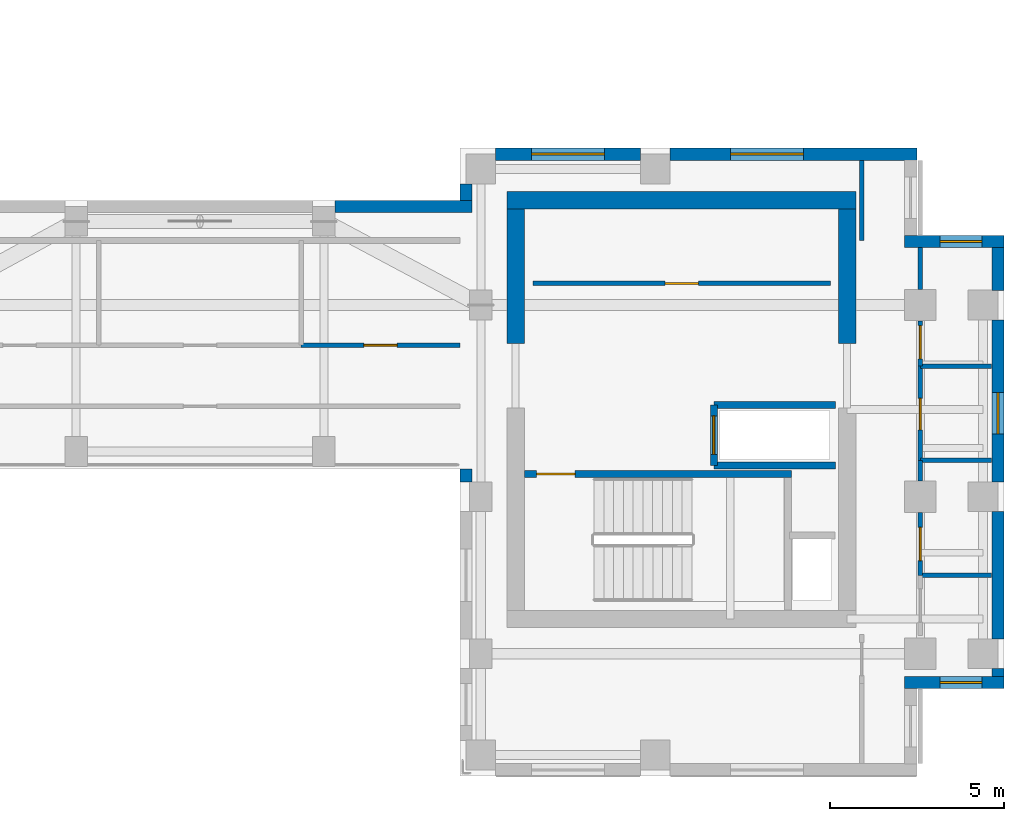
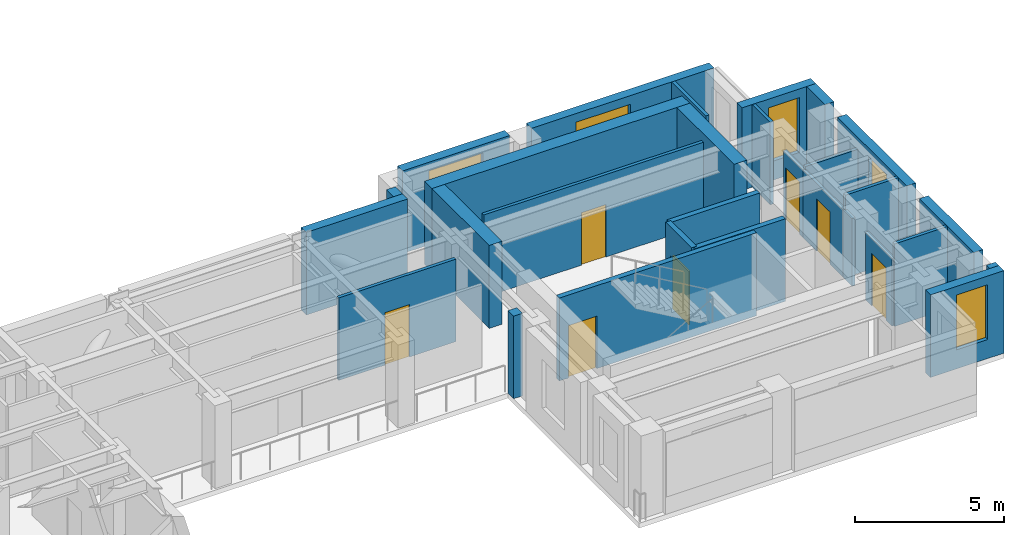
# One storey, part 9 of 13: 29 walls, 7 doors, 5 windows, 12 openings.
"""IFC4 building model written with IfcOpenShell, lengths in metres."""

from ifc_helpers import new_model, si_unit, direction, frame, frame_2d, origin, place, context, subcontext, project, spatial, rectangle, extrude, source, transform, mapped, material, layer, layer_set, type_object, element, fill, save


model = new_model("IFC4")

# Units and contexts
model_context = context("Model", 3, precision=1e-05, world=origin(), true_north=direction((0.0, 1.0)))
body_context = subcontext(model_context, "Body", "Model", "MODEL_VIEW")
ifc_project = project(units=[si_unit("LENGTHUNIT", "METRE"), si_unit("AREAUNIT", "SQUARE_METRE"), si_unit("VOLUMEUNIT", "CUBIC_METRE"), si_unit("PLANEANGLEUNIT", "RADIAN"), si_unit("MASSUNIT", "GRAM", prefix="KILO")], contexts=[model_context])

# Site, building, storey
site_placement = place(None, origin())
site = spatial("IfcSite", under=ifc_project, at=site_placement, CompositionType="ELEMENT")
building_placement = place(site_placement, origin())
building = spatial("IfcBuilding", under=site, at=building_placement, Name="Kharzan Plaza Tower", CompositionType="ELEMENT")
storey_placement = place(building_placement, frame((0.0, 0.0, 244.800048828125)))
storey = spatial("IfcBuildingStorey", under=building, at=storey_placement, Name="L66", CompositionType="ELEMENT", Elevation=244.800048828125)

# Wall, opening, window
ifc_material_1 = material(Name="Concrete C40/50", Category="concrete")
ifc_layer_1 = layer(ifc_material_1, 0.35009765625)
ifc_layer_set_1 = layer_set([ifc_layer_1], Name="Concrete C40/50")
wall_type_1 = type_object("IfcWallType", Name="WL-EXT-MAS-Z4", PredefinedType="SOLIDWALL", material=ifc_layer_set_1)
wall_1_placement = place(storey_placement, frame((47.14990234375, 2.675048828125, 0.0), z_axis=(0.0, 0.0, 1.0), x_axis=(1.0, 0.0, 0.0)))
wall_1 = element("IfcWall", 1, at=wall_1_placement, inside=storey, type_object=wall_type_1, Name="L66 Masonry-Frame Exterior Wall 39", PredefinedType="SOLIDWALL", context=body_context, shape_type="SweptSolid", body=[
    extrude(rectangle(XDim=2.85009765625, YDim=0.35009765625, at=frame_2d((1.425048828125, 0.0))), origin(), (0.0, 0.0, 1.0), 3.385009765625),
])
opening_1_placement = place(wall_1_placement, frame((1.014892578125, 0.0, 0.780029296875)))
opening_1 = element("IfcOpeningElement", 2, at=opening_1_placement, cuts=wall_1, Name="Opening W3", PredefinedType="OPENING", context=body_context, shape_type="SweptSolid", body=[
    extrude(rectangle(XDim=1.199951171875, YDim=2.25, at=frame_2d((0.60009765625, 1.125))), frame((0.0, 0.18505859375, 0.0), z_axis=(0.0, -1.0, 0.0), x_axis=(1.0, 0.0, 0.0)), (0.0, 0.0, 1.0), 0.3701171875),
])
ifc_material_2 = material(Name="Low-E Double Glazing", Category="glass")
window_type_1 = type_object("IfcWindowType", Name="WN-REC-1200x2100", PartitioningType="SINGLE_PANEL", PredefinedType="WINDOW", material=ifc_material_2)
shared_shape_1 = source(origin(), body_context, "Body", "SweptSolid", [
    extrude(rectangle(XDim=1.199951171875, YDim=2.25, at=frame_2d((0.60009765625, 1.125))), frame((0.0, 0.030029296875, 0.0), z_axis=(0.0, -1.0, 0.0), x_axis=(1.0, 0.0, 0.0)), (0.0, 0.0, 1.0), 0.06005859375),
])
window_1_placement = place(opening_1_placement, origin())
window_1 = element("IfcWindow", 3, at=window_1_placement, inside=storey, type_object=window_type_1, Name="L66 Recessed Solar-Control Window 39-1", OverallHeight=2.25, OverallWidth=1.199951171875, PartitioningType="SINGLE_PANEL", PredefinedType="WINDOW", context=body_context, shape_type="MappedRepresentation", body=[
    mapped(shared_shape_1, transform((0.0, 0.0, 0.0), x_axis=(1.0, 0.0, 0.0), y_axis=(0.0, 1.0, 0.0), z_axis=(0.0, 0.0, 1.0))),
])
fill(opening_1, window_1)

wall_2_placement = place(storey_placement, frame((49.824951171875, 8.423095703125, 0.0), z_axis=(0.0, 0.0, 1.0), x_axis=(0.0, 1.0, 0.0)))
wall_2 = element("IfcWall", 4, at=wall_2_placement, inside=storey, type_object=wall_type_1, Name="L66 Masonry-Frame Exterior Wall 42", PredefinedType="SOLIDWALL", context=body_context, shape_type="SweptSolid", body=[
    extrude(rectangle(XDim=4.65380859375, YDim=0.35009765625, at=frame_2d((2.326904296875, 0.0))), origin(), (0.0, 0.0, 1.0), 3.385009765625),
])
opening_2_placement = place(wall_2_placement, frame((1.376953125, 0.0, 0.780029296875)))
opening_2 = element("IfcOpeningElement", 5, at=opening_2_placement, cuts=wall_2, Name="Opening W3", PredefinedType="OPENING", context=body_context, shape_type="SweptSolid", body=[
    extrude(rectangle(XDim=1.199951171875, YDim=2.25, at=frame_2d((0.60009765625, 1.125))), frame((0.0, 0.18505859375, 0.0), z_axis=(0.0, -1.0, 0.0), x_axis=(1.0, 0.0, 0.0)), (0.0, 0.0, 1.0), 0.3701171875),
])
window_2_placement = place(opening_2_placement, origin())
window_2 = element("IfcWindow", 6, at=window_2_placement, inside=storey, type_object=window_type_1, Name="L66 Recessed Solar-Control Window 42-1", OverallHeight=2.25, OverallWidth=1.199951171875, PartitioningType="SINGLE_PANEL", PredefinedType="WINDOW", context=body_context, shape_type="MappedRepresentation", body=[
    mapped(shared_shape_1, transform((0.0, 0.0, 0.0), x_axis=(1.0, 0.0, 0.0), y_axis=(0.0, 1.0, 0.0), z_axis=(0.0, 0.0, 1.0))),
])
fill(opening_2, window_2)

wall_3_placement = place(storey_placement, frame((50.0, 15.324951171875, 0.0), z_axis=(0.0, 0.0, 1.0), x_axis=(-1.0, 0.0, 0.0)))
wall_3 = element("IfcWall", 7, at=wall_3_placement, inside=storey, type_object=wall_type_1, Name="L66 Masonry-Frame Exterior Wall 44", PredefinedType="SOLIDWALL", context=body_context, shape_type="SweptSolid", body=[
    extrude(rectangle(XDim=2.85009765625, YDim=0.35009765625, at=frame_2d((1.425048828125, 0.0))), origin(), (0.0, 0.0, 1.0), 3.385009765625),
])
opening_3_placement = place(wall_3_placement, frame((0.635009765625, 0.0, 0.780029296875)))
opening_3 = element("IfcOpeningElement", 8, at=opening_3_placement, cuts=wall_3, Name="Opening W3", PredefinedType="OPENING", context=body_context, shape_type="SweptSolid", body=[
    extrude(rectangle(XDim=1.199951171875, YDim=2.25, at=frame_2d((0.60009765625, 1.125))), frame((0.0, 0.18505859375, 0.0), z_axis=(0.0, -1.0, 0.0), x_axis=(1.0, 0.0, 0.0)), (0.0, 0.0, 1.0), 0.3701171875),
])
window_3_placement = place(opening_3_placement, origin())
window_3 = element("IfcWindow", 9, at=window_3_placement, inside=storey, type_object=window_type_1, Name="L66 Recessed Solar-Control Window 44-1", OverallHeight=2.25, OverallWidth=1.199951171875, PartitioningType="SINGLE_PANEL", PredefinedType="WINDOW", context=body_context, shape_type="MappedRepresentation", body=[
    mapped(shared_shape_1, transform((0.0, 0.0, 0.0), x_axis=(1.0, 0.0, 0.0), y_axis=(0.0, 1.0, 0.0), z_axis=(0.0, 0.0, 1.0))),
])
fill(opening_3, window_3)

wall_4_placement = place(storey_placement, frame((47.5, 17.824951171875, 0.0), z_axis=(0.0, 0.0, 1.0), x_axis=(-1.0, 0.0, 0.0)))
wall_4 = element("IfcWall", 10, at=wall_4_placement, inside=storey, type_object=wall_type_1, Name="L66 Masonry-Frame Exterior Wall 46", PredefinedType="SOLIDWALL", context=body_context, shape_type="SweptSolid", body=[
    extrude(rectangle(XDim=7.076904296875, YDim=0.35009765625, at=frame_2d((3.53857421875, 0.0))), origin(), (0.0, 0.0, 1.0), 3.385009765625),
])
opening_4_placement = place(wall_4_placement, frame((3.243408203125, 0.0, 0.780029296875)))
opening_4 = element("IfcOpeningElement", 11, at=opening_4_placement, cuts=wall_4, Name="Opening W6", PredefinedType="OPENING", context=body_context, shape_type="SweptSolid", body=[
    extrude(rectangle(XDim=2.10009765625, YDim=2.25, at=frame_2d((1.050048828125, 1.125))), frame((0.0, 0.18505859375, 0.0), z_axis=(0.0, -1.0, 0.0), x_axis=(1.0, 0.0, 0.0)), (0.0, 0.0, 1.0), 0.3701171875),
])
window_type_2 = type_object("IfcWindowType", Name="WN-EXEC-2100x2250", PartitioningType="SINGLE_PANEL", PredefinedType="WINDOW", material=ifc_material_2)
shared_shape_2 = source(origin(), body_context, "Body", "SweptSolid", [
    extrude(rectangle(XDim=2.10009765625, YDim=2.25, at=frame_2d((1.050048828125, 1.125))), frame((0.0, 0.030029296875, 0.0), z_axis=(0.0, -1.0, 0.0), x_axis=(1.0, 0.0, 0.0)), (0.0, 0.0, 1.0), 0.06005859375),
])
window_4_placement = place(opening_4_placement, origin())
window_4 = element("IfcWindow", 12, at=window_4_placement, inside=storey, type_object=window_type_2, Name="L66 Recessed Solar-Control Window 46-1", OverallHeight=2.25, OverallWidth=2.10009765625, PartitioningType="SINGLE_PANEL", PredefinedType="WINDOW", context=body_context, shape_type="MappedRepresentation", body=[
    mapped(shared_shape_2, transform((0.0, 0.0, 0.0), x_axis=(1.0, 0.0, 0.0), y_axis=(0.0, 1.0, 0.0), z_axis=(0.0, 0.0, 1.0))),
])
fill(opening_4, window_4)

wall_5_placement = place(storey_placement, frame((39.576904296875, 17.824951171875, 0.0), z_axis=(0.0, 0.0, 1.0), x_axis=(-1.0, 0.0, 0.0)))
wall_5 = element("IfcWall", 13, at=wall_5_placement, inside=storey, type_object=wall_type_1, Name="L66 Masonry-Frame Exterior Wall 47", PredefinedType="SOLIDWALL", context=body_context, shape_type="SweptSolid", body=[
    extrude(rectangle(XDim=4.15380859375, YDim=0.35009765625, at=frame_2d((2.076904296875, 0.0))), origin(), (0.0, 0.0, 1.0), 3.385009765625),
])
opening_5_placement = place(wall_5_placement, frame((1.027099609375, 0.0, 0.780029296875)))
opening_5 = element("IfcOpeningElement", 14, at=opening_5_placement, cuts=wall_5, Name="Opening W6", PredefinedType="OPENING", context=body_context, shape_type="SweptSolid", body=[
    extrude(rectangle(XDim=2.10009765625, YDim=2.25, at=frame_2d((1.050048828125, 1.125))), frame((0.0, 0.18505859375, 0.0), z_axis=(0.0, -1.0, 0.0), x_axis=(1.0, 0.0, 0.0)), (0.0, 0.0, 1.0), 0.3701171875),
])
window_5_placement = place(opening_5_placement, origin())
window_5 = element("IfcWindow", 15, at=window_5_placement, inside=storey, type_object=window_type_2, Name="L66 Recessed Solar-Control Window 47-1", OverallHeight=2.25, OverallWidth=2.10009765625, PartitioningType="SINGLE_PANEL", PredefinedType="WINDOW", context=body_context, shape_type="MappedRepresentation", body=[
    mapped(shared_shape_2, transform((0.0, 0.0, 0.0), x_axis=(1.0, 0.0, 0.0), y_axis=(0.0, 1.0, 0.0), z_axis=(0.0, 0.0, 1.0))),
])
fill(opening_5, window_5)

# Wall, opening, door
ifc_material_3 = material(Name="Fire-Rated Gypsum Board Partition", Category="gypsum")
ifc_layer_2 = layer(ifc_material_3, 0.125)
ifc_layer_set_2 = layer_set([ifc_layer_2], Name="Fire-Rated Gypsum Board Partition")
wall_type_2 = type_object("IfcWallType", Name="WL-INT-PART-125", PredefinedType="PARTITIONING", material=ifc_layer_set_2)
wall_6_placement = place(storey_placement, frame((36.5, 14.1201171875, 0.0), z_axis=(0.0, 0.0, 1.0), x_axis=(1.0, 0.0, 0.0)))
wall_6 = element("IfcWall", 16, at=wall_6_placement, inside=storey, type_object=wall_type_2, Name="L66 Interior Partition CB-RBLS1", PredefinedType="PARTITIONING", context=body_context, shape_type="SweptSolid", body=[
    extrude(rectangle(XDim=8.52001953125, YDim=0.125, at=frame_2d((4.260009765625, 0.0))), origin(), (0.0, 0.0, 1.0), 3.385009765625),
])
opening_6_placement = place(wall_6_placement, frame((3.784912109375, 0.0, 0.0)))
opening_6 = element("IfcOpeningElement", 17, at=opening_6_placement, cuts=wall_6, Name="Opening OD1", PredefinedType="OPENING", context=body_context, shape_type="SweptSolid", body=[
    extrude(rectangle(XDim=0.949951171875, YDim=2.14990234375, at=frame_2d((0.47509765625, 1.074951171875))), frame((0.0, 0.072509765625, 0.0), z_axis=(0.0, -1.0, 0.0), x_axis=(1.0, 0.0, 0.0)), (0.0, 0.0, 1.0), 0.14501953125),
])
ifc_material_4 = material(Name="Acoustic Solid-Core Stained Oak", Category="timber")
door_type_1 = type_object("IfcDoorType", Name="DR-OFF-SINGLE", OperationType="NOTDEFINED", PredefinedType="DOOR", material=ifc_material_4)
shared_shape_3 = source(origin(), body_context, "Body", "SweptSolid", [
    extrude(rectangle(XDim=0.949951171875, YDim=2.14990234375, at=frame_2d((0.47509765625, 1.074951171875))), frame((0.0, 0.02490234375, 0.0), z_axis=(0.0, -1.0, 0.0), x_axis=(1.0, 0.0, 0.0)), (0.0, 0.0, 1.0), 0.050048828125),
])
door_1_placement = place(opening_6_placement, origin())
door_1 = element("IfcDoor", 18, at=door_1_placement, inside=storey, type_object=door_type_1, Name="L66 Mail Room Door", OperationType="SINGLE_SWING_RIGHT", OverallHeight=2.14990234375, OverallWidth=0.949951171875, PredefinedType="DOOR", context=body_context, shape_type="MappedRepresentation", body=[
    mapped(shared_shape_3, transform((0.0, 0.0, 0.0), x_axis=(1.0, 0.0, 0.0), y_axis=(0.0, 1.0, 0.0), z_axis=(0.0, 0.0, 1.0))),
])
fill(opening_6, door_1)

wall_7_placement = place(storey_placement, frame((47.60009765625, 5.75, 0.0), z_axis=(0.0, 0.0, 1.0), x_axis=(0.0, 1.0, 0.0)))
wall_7 = element("IfcWall", 19, at=wall_7_placement, inside=storey, type_object=wall_type_2, Name="L66 Interior Partition SH-B3W1-S1", PredefinedType="PARTITIONING", context=body_context, shape_type="SweptSolid", body=[
    extrude(rectangle(XDim=1.800048828125, YDim=0.125, at=frame_2d((0.89990234375, 0.0))), origin(), (0.0, 0.0, 1.0), 2.77294921875),
])
opening_7_placement = place(wall_7_placement, frame((0.425048828125, 0.0, 0.0)))
opening_7 = element("IfcOpeningElement", 20, at=opening_7_placement, cuts=wall_7, Name="Opening OD1", PredefinedType="OPENING", context=body_context, shape_type="SweptSolid", body=[
    extrude(rectangle(XDim=0.949951171875, YDim=2.14990234375, at=frame_2d((0.47509765625, 1.074951171875))), frame((0.0, 0.072509765625, 0.0), z_axis=(0.0, -1.0, 0.0), x_axis=(1.0, 0.0, 0.0)), (0.0, 0.0, 1.0), 0.14501953125),
])
door_2_placement = place(opening_7_placement, origin())
door_2 = element("IfcDoor", 21, at=door_2_placement, inside=storey, type_object=door_type_1, Name="L66 Wing B Office 2 Door", OperationType="SINGLE_SWING_LEFT", OverallHeight=2.14990234375, OverallWidth=0.949951171875, PredefinedType="DOOR", context=body_context, shape_type="MappedRepresentation", body=[
    mapped(shared_shape_3, transform((0.0, 0.0, 0.0), x_axis=(1.0, 0.0, 0.0), y_axis=(0.0, 1.0, 0.0), z_axis=(0.0, 0.0, 1.0))),
])
fill(opening_7, door_2)

wall_8_placement = place(storey_placement, frame((47.60009765625, 11.75, 0.0), z_axis=(0.0, 0.0, 1.0), x_axis=(0.0, 1.0, 0.0)))
wall_8 = element("IfcWall", 22, at=wall_8_placement, inside=storey, type_object=wall_type_2, Name="L66 Interior Partition SH-B3W2-S1", PredefinedType="PARTITIONING", context=body_context, shape_type="SweptSolid", body=[
    extrude(rectangle(XDim=1.300048828125, YDim=0.125, at=frame_2d((0.64990234375, 0.0))), origin(), (0.0, 0.0, 1.0), 2.77294921875),
])
opening_8_placement = place(wall_8_placement, frame((0.2099609375, 0.0, 0.0)))
opening_8 = element("IfcOpeningElement", 23, at=opening_8_placement, cuts=wall_8, Name="Opening OD1", PredefinedType="OPENING", context=body_context, shape_type="SweptSolid", body=[
    extrude(rectangle(XDim=0.949951171875, YDim=2.14990234375, at=frame_2d((0.47509765625, 1.074951171875))), frame((0.0, 0.072509765625, 0.0), z_axis=(0.0, -1.0, 0.0), x_axis=(1.0, 0.0, 0.0)), (0.0, 0.0, 1.0), 0.14501953125),
])
door_3_placement = place(opening_8_placement, origin())
door_3 = element("IfcDoor", 24, at=door_3_placement, inside=storey, type_object=door_type_1, Name="L66 Wing B Office 3 Door", OperationType="SINGLE_SWING_LEFT", OverallHeight=2.14990234375, OverallWidth=0.949951171875, PredefinedType="DOOR", context=body_context, shape_type="MappedRepresentation", body=[
    mapped(shared_shape_3, transform((0.0, 0.0, 0.0), x_axis=(1.0, 0.0, 0.0), y_axis=(0.0, 1.0, 0.0), z_axis=(0.0, 0.0, 1.0))),
])
fill(opening_8, door_3)

wall_9_placement = place(storey_placement, frame((47.60009765625, 9.050048828125, 0.0), z_axis=(0.0, 0.0, 1.0), x_axis=(0.0, 1.0, 0.0)))
wall_9 = element("IfcWall", 25, at=wall_9_placement, inside=storey, type_object=wall_type_2, Name="L66 Interior Partition SH-B3WC", PredefinedType="PARTITIONING", context=body_context, shape_type="SweptSolid", body=[
    extrude(rectangle(XDim=2.699951171875, YDim=0.125, at=frame_2d((1.35009765625, 0.0))), origin(), (0.0, 0.0, 1.0), 2.77294921875),
])
opening_9_placement = place(wall_9_placement, frame((0.875, 0.0, 0.0)))
opening_9 = element("IfcOpeningElement", 26, at=opening_9_placement, cuts=wall_9, Name="Opening WD1", PredefinedType="OPENING", context=body_context, shape_type="SweptSolid", body=[
    extrude(rectangle(XDim=0.89990234375, YDim=2.14990234375, at=frame_2d((0.449951171875, 1.074951171875))), frame((0.0, 0.072509765625, 0.0), z_axis=(0.0, -1.0, 0.0), x_axis=(1.0, 0.0, 0.0)), (0.0, 0.0, 1.0), 0.14501953125),
])
ifc_material_5 = material(Name="Moisture-Resistant Fire-Rated Laminate", Category="timber")
door_type_2 = type_object("IfcDoorType", Name="DR-WC-900", OperationType="NOTDEFINED", PredefinedType="DOOR", material=ifc_material_5)
shared_shape_4 = source(origin(), body_context, "Body", "SweptSolid", [
    extrude(rectangle(XDim=0.89990234375, YDim=2.14990234375, at=frame_2d((0.449951171875, 1.074951171875))), frame((0.0, 0.02490234375, 0.0), z_axis=(0.0, -1.0, 0.0), x_axis=(1.0, 0.0, 0.0)), (0.0, 0.0, 1.0), 0.050048828125),
])
door_4_placement = place(opening_9_placement, origin())
door_4 = element("IfcDoor", 27, at=door_4_placement, inside=storey, type_object=door_type_2, Name="L66 Wing B Washroom Door", OperationType="SINGLE_SWING_RIGHT", OverallHeight=2.14990234375, OverallWidth=0.89990234375, PredefinedType="DOOR", context=body_context, shape_type="MappedRepresentation", body=[
    mapped(shared_shape_4, transform((0.0, 0.0, 0.0), x_axis=(1.0, 0.0, 0.0), y_axis=(0.0, 1.0, 0.0), z_axis=(0.0, 0.0, 1.0))),
])
fill(opening_9, door_4)

wall_10_placement = place(storey_placement, frame((29.85009765625, 12.35009765625, 0.0), z_axis=(0.0, 0.0, 1.0), x_axis=(1.0, 0.0, 0.0)))
wall_10 = element("IfcWall", 28, at=wall_10_placement, inside=storey, type_object=wall_type_2, Name="L66 Interior Partition SH-SPNE1", PredefinedType="PARTITIONING", context=body_context, shape_type="SweptSolid", body=[
    extrude(rectangle(XDim=4.5498046875, YDim=0.125, at=frame_2d((2.27490234375, 0.0))), origin(), (0.0, 0.0, 1.0), 3.385009765625),
])
opening_10_placement = place(wall_10_placement, frame((1.800048828125, 0.0, 0.0)))
opening_10 = element("IfcOpeningElement", 29, at=opening_10_placement, cuts=wall_10, Name="Opening OD1", PredefinedType="OPENING", context=body_context, shape_type="SweptSolid", body=[
    extrude(rectangle(XDim=0.949951171875, YDim=2.14990234375, at=frame_2d((0.47509765625, 1.074951171875))), frame((0.0, 0.072509765625, 0.0), z_axis=(0.0, -1.0, 0.0), x_axis=(1.0, 0.0, 0.0)), (0.0, 0.0, 1.0), 0.14501953125),
])
door_5_placement = place(opening_10_placement, origin())
door_5 = element("IfcDoor", 30, at=door_5_placement, inside=storey, type_object=door_type_1, Name="L66 North-East Spine Door", OperationType="SINGLE_SWING_LEFT", OverallHeight=2.14990234375, OverallWidth=0.949951171875, PredefinedType="DOOR", context=body_context, shape_type="MappedRepresentation", body=[
    mapped(shared_shape_3, transform((0.0, 0.0, 0.0), x_axis=(1.0, 0.0, 0.0), y_axis=(0.0, 1.0, 0.0), z_axis=(0.0, 0.0, 1.0))),
])
fill(opening_10, door_5)

ifc_layer_3 = layer(ifc_material_1, 0.199951171875)
ifc_layer_set_3 = layer_set([ifc_layer_3], Name="Concrete C40/50")
wall_type_3 = type_object("IfcWallType", Name="WL-INT-SHAFT-200", PredefinedType="PARTITIONING", material=ifc_layer_set_3)
wall_11_placement = place(storey_placement, frame((41.679931640625, 8.89990234375, 0.0), z_axis=(0.0, 0.0, 1.0), x_axis=(0.0, 1.0, 0.0)))
wall_11 = element("IfcWall", 31, at=wall_11_placement, inside=storey, type_object=wall_type_3, Name="L66 Interior Partition SHF-SVL-2-W", PredefinedType="PARTITIONING", context=body_context, shape_type="SweptSolid", body=[
    extrude(rectangle(XDim=1.739990234375, YDim=0.199951171875, at=frame_2d((0.8701171875, 0.0))), origin(), (0.0, 0.0, 1.0), 3.385009765625),
])
opening_11_placement = place(wall_11_placement, frame((0.320068359375, 0.0, 0.0)))
opening_11 = element("IfcOpeningElement", 32, at=opening_11_placement, cuts=wall_11, Name="Opening LD", PredefinedType="OPENING", context=body_context, shape_type="SweptSolid", body=[
    extrude(rectangle(XDim=1.10009765625, YDim=2.199951171875, at=frame_2d((0.550048828125, 1.10009765625))), frame((0.0, 0.10986328125, 0.0), z_axis=(0.0, -1.0, 0.0), x_axis=(1.0, 0.0, 0.0)), (0.0, 0.0, 1.0), 0.219970703125),
])
ifc_material_6 = material(Name="Brushed Stainless Steel", Category="steel")
door_type_3 = type_object("IfcDoorType", Name="DR-LIFT-SLIDE", OperationType="SLIDING_TO_LEFT", PredefinedType="DOOR", material=ifc_material_6)
shared_shape_5 = source(origin(), body_context, "Body", "SweptSolid", [
    extrude(rectangle(XDim=1.10009765625, YDim=2.199951171875, at=frame_2d((0.550048828125, 1.10009765625))), frame((0.0, 0.02490234375, 0.0), z_axis=(0.0, -1.0, 0.0), x_axis=(1.0, 0.0, 0.0)), (0.0, 0.0, 1.0), 0.050048828125),
])
door_6_placement = place(opening_11_placement, origin())
door_6 = element("IfcDoor", 33, at=door_6_placement, inside=storey, type_object=door_type_3, Name="L66 Service Lift SVL-2 Sliding Landing Door", OperationType="SLIDING_TO_LEFT", OverallHeight=2.199951171875, OverallWidth=1.10009765625, PredefinedType="DOOR", context=body_context, shape_type="MappedRepresentation", body=[
    mapped(shared_shape_5, transform((0.0, 0.0, 0.0), x_axis=(1.0, 0.0, 0.0), y_axis=(0.0, 1.0, 0.0), z_axis=(0.0, 0.0, 1.0))),
])
fill(opening_11, door_6)

ifc_material_7 = material(Name="Concrete C50/60", Category="concrete")
ifc_layer_4 = layer(ifc_material_7, 0.199951171875)
ifc_layer_set_4 = layer_set([ifc_layer_4], Name="Concrete C50/60")
wall_type_4 = type_object("IfcWallType", Name="WL-SHAFT-RC200", PredefinedType="SHEAR", material=ifc_layer_set_4)
wall_12_placement = place(storey_placement, frame((36.251953125, 8.655029296875, 0.0), z_axis=(0.0, 0.0, 1.0), x_axis=(1.0, 0.0, 0.0)))
wall_12 = element("IfcWall", 34, at=wall_12_placement, inside=storey, type_object=wall_type_4, Name="L66 Stair ST-3 North RC Shaft Wall", PredefinedType="SHEAR", context=body_context, shape_type="SweptSolid", body=[
    extrude(rectangle(XDim=7.653076171875, YDim=0.199951171875, at=frame_2d((3.82666015625, 0.0))), origin(), (0.0, 0.0, 1.0), 3.39990234375),
])
opening_12_placement = place(wall_12_placement, frame((0.35009765625, 0.0, 0.0)))
opening_12 = element("IfcOpeningElement", 35, at=opening_12_placement, cuts=wall_12, Name="Opening SD1", PredefinedType="OPENING", context=body_context, shape_type="SweptSolid", body=[
    extrude(rectangle(XDim=1.10009765625, YDim=2.14990234375, at=frame_2d((0.550048828125, 1.074951171875))), frame((0.0, 0.10986328125, 0.0), z_axis=(0.0, -1.0, 0.0), x_axis=(1.0, 0.0, 0.0)), (0.0, 0.0, 1.0), 0.219970703125),
])
ifc_material_8 = material(Name="Fire-Rated Hollow Galvanized Steel", Category="steel")
door_type_4 = type_object("IfcDoorType", Name="DR-STAIR-FD120", OperationType="NOTDEFINED", PredefinedType="DOOR", material=ifc_material_8)
shared_shape_6 = source(origin(), body_context, "Body", "SweptSolid", [
    extrude(rectangle(XDim=1.10009765625, YDim=2.14990234375, at=frame_2d((0.550048828125, 1.074951171875))), frame((0.0, 0.02490234375, 0.0), z_axis=(0.0, -1.0, 0.0), x_axis=(1.0, 0.0, 0.0)), (0.0, 0.0, 1.0), 0.050048828125),
])
door_7_placement = place(opening_12_placement, origin())
door_7 = element("IfcDoor", 36, at=door_7_placement, inside=storey, type_object=door_type_4, Name="L66 Stair ST-3 Fire Exit Door", OperationType="SINGLE_SWING_LEFT", OverallHeight=2.14990234375, OverallWidth=1.10009765625, PredefinedType="DOOR", context=body_context, shape_type="MappedRepresentation", body=[
    mapped(shared_shape_6, transform((0.0, 0.0, 0.0), x_axis=(1.0, 0.0, 0.0), y_axis=(0.0, 1.0, 0.0), z_axis=(0.0, 0.0, 1.0))),
])
fill(opening_12, door_7)

# Walls
shared_shape_7 = source(origin(), body_context, "Body", "SweptSolid", [
    extrude(rectangle(XDim=2.2978515625, YDim=0.125, at=frame_2d((1.14892578125, 0.0))), origin(), (0.0, 0.0, 1.0), 3.385009765625),
])
wall_13_placement = place(storey_placement, frame((45.919921875, 15.35009765625, 0.0), z_axis=(0.0, 0.0, 1.0), x_axis=(0.0, 1.0, 0.0)))
element("IfcWall", 37, at=wall_13_placement, inside=storey, type_object=wall_type_2, Name="L66 Interior Partition SH-RBNE0", PredefinedType="PARTITIONING", context=body_context, shape_type="MappedRepresentation", body=[
    mapped(shared_shape_7, transform((0.0, 0.0, 0.0), x_axis=(1.0, 0.0, 0.0), y_axis=(0.0, 1.0, 0.0), z_axis=(0.0, 0.0, 1.0))),
])
shared_shape_8 = source(origin(), body_context, "Body", "SweptSolid", [
    extrude(rectangle(XDim=3.489990234375, YDim=0.199951171875, at=frame_2d((1.7451171875, 0.0))), origin(), (0.0, 0.0, 1.0), 3.385009765625),
])
for number, where, z_axis, x_axis, name in (
    (38, (41.679931640625, 10.639892578125, 0.0), (0.0, 0.0, 1.0), (1.0, 0.0, 0.0), "L66 Interior Partition SHF-SVL-2-N"),
    (39, (41.679931640625, 8.89990234375, 0.0), (0.0, 0.0, 1.0), (1.0, 0.0, 0.0), "L66 Interior Partition SHF-SVL-2-S"),
):
    element("IfcWall", number, at=place(storey_placement, frame(where, z_axis=z_axis, x_axis=x_axis)), inside=storey, type_object=wall_type_3, Name=name, PredefinedType="PARTITIONING", context=body_context, shape_type="MappedRepresentation", body=[
        mapped(shared_shape_8, transform((0.0, 0.0, 0.0), x_axis=(1.0, 0.0, 0.0), y_axis=(0.0, 1.0, 0.0), z_axis=(0.0, 0.0, 1.0))),
    ])
shared_shape_9 = source(origin(), body_context, "Body", "SweptSolid", [
    extrude(rectangle(XDim=0.22900390625, YDim=0.35009765625, at=frame_2d((0.114501953125, 0.0))), origin(), (0.0, 0.0, 1.0), 3.385009765625),
])
wall_14_placement = place(storey_placement, frame((49.824951171875, 2.847900390625, 0.0), z_axis=(0.0, 0.0, 1.0), x_axis=(0.0, 1.0, 0.0)))
element("IfcWall", 40, at=wall_14_placement, inside=storey, type_object=wall_type_1, Name="L66 Masonry-Frame Exterior Wall 40", PredefinedType="SOLIDWALL", context=body_context, shape_type="MappedRepresentation", body=[
    mapped(shared_shape_9, transform((0.0, 0.0, 0.0), x_axis=(1.0, 0.0, 0.0), y_axis=(0.0, 1.0, 0.0), z_axis=(0.0, 0.0, 1.0))),
])
shared_shape_10 = source(origin(), body_context, "Body", "SweptSolid", [
    extrude(rectangle(XDim=3.65380859375, YDim=0.35009765625, at=frame_2d((1.826904296875, 0.0))), origin(), (0.0, 0.0, 1.0), 3.385009765625),
])
wall_15_placement = place(storey_placement, frame((49.824951171875, 3.923095703125, 0.0), z_axis=(0.0, 0.0, 1.0), x_axis=(0.0, 1.0, 0.0)))
element("IfcWall", 41, at=wall_15_placement, inside=storey, type_object=wall_type_1, Name="L66 Masonry-Frame Exterior Wall 41", PredefinedType="SOLIDWALL", context=body_context, shape_type="MappedRepresentation", body=[
    mapped(shared_shape_10, transform((0.0, 0.0, 0.0), x_axis=(1.0, 0.0, 0.0), y_axis=(0.0, 1.0, 0.0), z_axis=(0.0, 0.0, 1.0))),
])
shared_shape_11 = source(origin(), body_context, "Body", "SweptSolid", [
    extrude(rectangle(XDim=1.22900390625, YDim=0.35009765625, at=frame_2d((0.614501953125, 0.0))), origin(), (0.0, 0.0, 1.0), 3.385009765625),
])
wall_16_placement = place(storey_placement, frame((49.824951171875, 13.923095703125, 0.0), z_axis=(0.0, 0.0, 1.0), x_axis=(0.0, 1.0, 0.0)))
element("IfcWall", 42, at=wall_16_placement, inside=storey, type_object=wall_type_1, Name="L66 Masonry-Frame Exterior Wall 43", PredefinedType="SOLIDWALL", context=body_context, shape_type="MappedRepresentation", body=[
    mapped(shared_shape_11, transform((0.0, 0.0, 0.0), x_axis=(1.0, 0.0, 0.0), y_axis=(0.0, 1.0, 0.0), z_axis=(0.0, 0.0, 1.0))),
])
shared_shape_12 = source(origin(), body_context, "Body", "SweptSolid", [
    extrude(rectangle(XDim=2.0478515625, YDim=0.125, at=frame_2d((1.02392578125, 0.0))), origin(), (0.0, 0.0, 1.0), 3.385009765625),
])
for number, where, z_axis, x_axis, name in (
    (43, (47.60009765625, 5.75, 0.0), (0.0, 0.0, 1.0), (1.0, 0.0, 0.0), "L66 Interior Partition SH-B3H-57"),
    (44, (47.60009765625, 9.050048828125, 0.0), (0.0, 0.0, 1.0), (1.0, 0.0, 0.0), "L66 Interior Partition SH-B3H-90"),
):
    element("IfcWall", number, at=place(storey_placement, frame(where, z_axis=z_axis, x_axis=x_axis)), inside=storey, type_object=wall_type_2, Name=name, PredefinedType="PARTITIONING", context=body_context, shape_type="MappedRepresentation", body=[
        mapped(shared_shape_12, transform((0.0, 0.0, 0.0), x_axis=(1.0, 0.0, 0.0), y_axis=(0.0, 1.0, 0.0), z_axis=(0.0, 0.0, 1.0))),
    ])
shared_shape_13 = source(origin(), body_context, "Body", "SweptSolid", [
    extrude(rectangle(XDim=1.197998046875, YDim=0.125, at=frame_2d((0.59912109375, 0.0))), origin(), (0.0, 0.0, 1.0), 3.385009765625),
])
wall_17_placement = place(storey_placement, frame((47.60009765625, 13.949951171875, 0.0), z_axis=(0.0, 0.0, 1.0), x_axis=(0.0, 1.0, 0.0)))
element("IfcWall", 45, at=wall_17_placement, inside=storey, type_object=wall_type_2, Name="L66 Interior Partition SH-B3W2-S2", PredefinedType="PARTITIONING", context=body_context, shape_type="MappedRepresentation", body=[
    mapped(shared_shape_13, transform((0.0, 0.0, 0.0), x_axis=(1.0, 0.0, 0.0), y_axis=(0.0, 1.0, 0.0), z_axis=(0.0, 0.0, 1.0))),
])
ifc_layer_5 = layer(ifc_material_7, 0.5)
ifc_layer_set_5 = layer_set([ifc_layer_5], Name="Concrete C50/60")
wall_type_5 = type_object("IfcWallType", Name="WL-CORE-500", PredefinedType="SHEAR", material=ifc_layer_set_5)
shared_shape_14 = source(origin(), body_context, "Body", "SweptSolid", [
    extrude(rectangle(XDim=3.85009765625, YDim=0.5, at=frame_2d((1.925048828125, 0.0))), origin(), (0.0, 0.0, 1.0), 3.39990234375),
])
for number, where, z_axis, x_axis, name in (
    (46, (45.5, 12.39990234375, 0.0), (0.0, 0.0, 1.0), (0.0, 1.0, 0.0), "L66 CORE-B east shear pier 2"),
    (47, (36.0, 12.39990234375, 0.0), (0.0, 0.0, 1.0), (0.0, 1.0, 0.0), "L66 CORE-B west shear pier 2"),
):
    element("IfcWall", number, at=place(storey_placement, frame(where, z_axis=z_axis, x_axis=x_axis)), inside=storey, type_object=wall_type_5, Name=name, PredefinedType="SHEAR", context=body_context, shape_type="MappedRepresentation", body=[
        mapped(shared_shape_14, transform((0.0, 0.0, 0.0), x_axis=(1.0, 0.0, 0.0), y_axis=(0.0, 1.0, 0.0), z_axis=(0.0, 0.0, 1.0))),
    ])
shared_shape_15 = source(origin(), body_context, "Body", "SweptSolid", [
    extrude(rectangle(XDim=10.0, YDim=0.5, at=frame_2d((5.0, 0.0))), origin(), (0.0, 0.0, 1.0), 3.39990234375),
])
wall_18_placement = place(storey_placement, frame((35.75, 16.5, 0.0), z_axis=(0.0, 0.0, 1.0), x_axis=(1.0, 0.0, 0.0)))
element("IfcWall", 48, at=wall_18_placement, inside=storey, type_object=wall_type_5, Name="L66 CORE-B north RC shear wall", PredefinedType="SHEAR", context=body_context, shape_type="MappedRepresentation", body=[
    mapped(shared_shape_15, transform((0.0, 0.0, 0.0), x_axis=(1.0, 0.0, 0.0), y_axis=(0.0, 1.0, 0.0), z_axis=(0.0, 0.0, 1.0))),
])
shared_shape_16 = source(origin(), body_context, "Body", "SweptSolid", [
    extrude(rectangle(XDim=2.0478515625, YDim=0.125, at=frame_2d((1.02392578125, 0.0))), origin(), (0.0, 0.0, 1.0), 2.916015625),
])
wall_19_placement = place(storey_placement, frame((47.60009765625, 11.75, 0.0), z_axis=(0.0, 0.0, 1.0), x_axis=(1.0, 0.0, 0.0)))
element("IfcWall", 49, at=wall_19_placement, inside=storey, type_object=wall_type_2, Name="L66 Interior Partition SH-B3H-117", PredefinedType="PARTITIONING", context=body_context, shape_type="MappedRepresentation", body=[
    mapped(shared_shape_16, transform((0.0, 0.0, 0.0), x_axis=(1.0, 0.0, 0.0), y_axis=(0.0, 1.0, 0.0), z_axis=(0.0, 0.0, 1.0))),
])
shared_shape_17 = source(origin(), body_context, "Body", "SweptSolid", [
    extrude(rectangle(XDim=0.60009765625, YDim=0.125, at=frame_2d((0.300048828125, 0.0))), origin(), (0.0, 0.0, 1.0), 2.77294921875),
])
wall_20_placement = place(storey_placement, frame((47.60009765625, 8.449951171875, 0.0), z_axis=(0.0, 0.0, 1.0), x_axis=(0.0, 1.0, 0.0)))
element("IfcWall", 50, at=wall_20_placement, inside=storey, type_object=wall_type_2, Name="L66 Interior Partition SH-B3W1-S2", PredefinedType="PARTITIONING", context=body_context, shape_type="MappedRepresentation", body=[
    mapped(shared_shape_17, transform((0.0, 0.0, 0.0), x_axis=(1.0, 0.0, 0.0), y_axis=(0.0, 1.0, 0.0), z_axis=(0.0, 0.0, 1.0))),
])
shared_shape_18 = source(origin(), body_context, "Body", "SweptSolid", [
    extrude(rectangle(XDim=0.47900390625, YDim=0.35009765625, at=frame_2d((0.239501953125, 0.0))), origin(), (0.0, 0.0, 1.0), 3.385009765625),
])
wall_21_placement = place(storey_placement, frame((34.574951171875, 16.97705078125, 0.0), z_axis=(0.0, 0.0, 1.0), x_axis=(0.0, -1.0, 0.0)))
element("IfcWall", 51, at=wall_21_placement, inside=storey, type_object=wall_type_1, Name="L66 Masonry-Frame Exterior Wall 48", PredefinedType="SOLIDWALL", context=body_context, shape_type="MappedRepresentation", body=[
    mapped(shared_shape_18, transform((0.0, 0.0, 0.0), x_axis=(1.0, 0.0, 0.0), y_axis=(0.0, 1.0, 0.0), z_axis=(0.0, 0.0, 1.0))),
])
shared_shape_19 = source(origin(), body_context, "Body", "SweptSolid", [
    extrude(rectangle(XDim=0.37890625, YDim=0.35009765625, at=frame_2d((0.189453125, 0.0))), origin(), (0.0, 0.0, 1.0), 3.385009765625),
])
wall_22_placement = place(storey_placement, frame((34.574951171875, 8.802001953125, 0.0), z_axis=(0.0, 0.0, 1.0), x_axis=(0.0, -1.0, 0.0)))
element("IfcWall", 52, at=wall_22_placement, inside=storey, type_object=wall_type_1, Name="L66 Masonry-Frame Exterior Wall 33", PredefinedType="SOLIDWALL", context=body_context, shape_type="MappedRepresentation", body=[
    mapped(shared_shape_19, transform((0.0, 0.0, 0.0), x_axis=(1.0, 0.0, 0.0), y_axis=(0.0, 1.0, 0.0), z_axis=(0.0, 0.0, 1.0))),
])
shared_shape_20 = source(origin(), body_context, "Body", "SweptSolid", [
    extrude(rectangle(XDim=3.927001953125, YDim=0.35009765625, at=frame_2d((1.96337890625, 0.0))), origin(), (0.0, 0.0, 1.0), 3.385009765625),
])
wall_23_placement = place(storey_placement, frame((34.75, 16.324951171875, 0.0), z_axis=(0.0, 0.0, 1.0), x_axis=(-1.0, 0.0, 0.0)))
element("IfcWall", 53, at=wall_23_placement, inside=storey, type_object=wall_type_1, Name="L66 Masonry-Frame Exterior Wall 49", PredefinedType="SOLIDWALL", context=body_context, shape_type="MappedRepresentation", body=[
    mapped(shared_shape_20, transform((0.0, 0.0, 0.0), x_axis=(1.0, 0.0, 0.0), y_axis=(0.0, 1.0, 0.0), z_axis=(0.0, 0.0, 1.0))),
])

save(model, "model.ifc")
